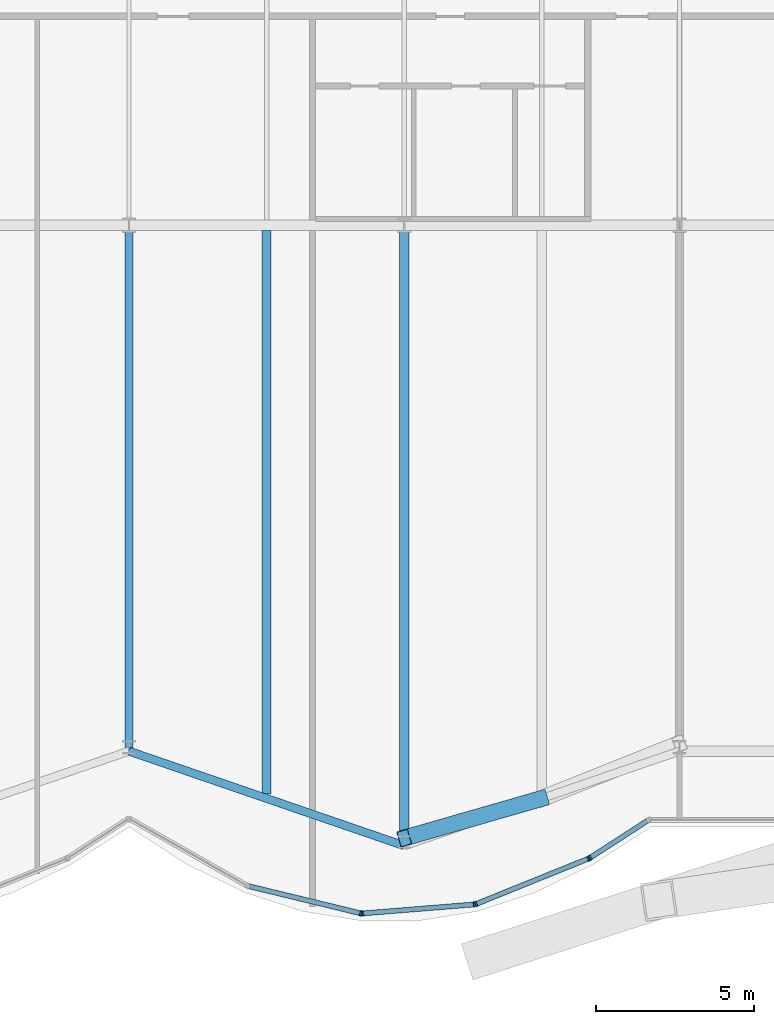
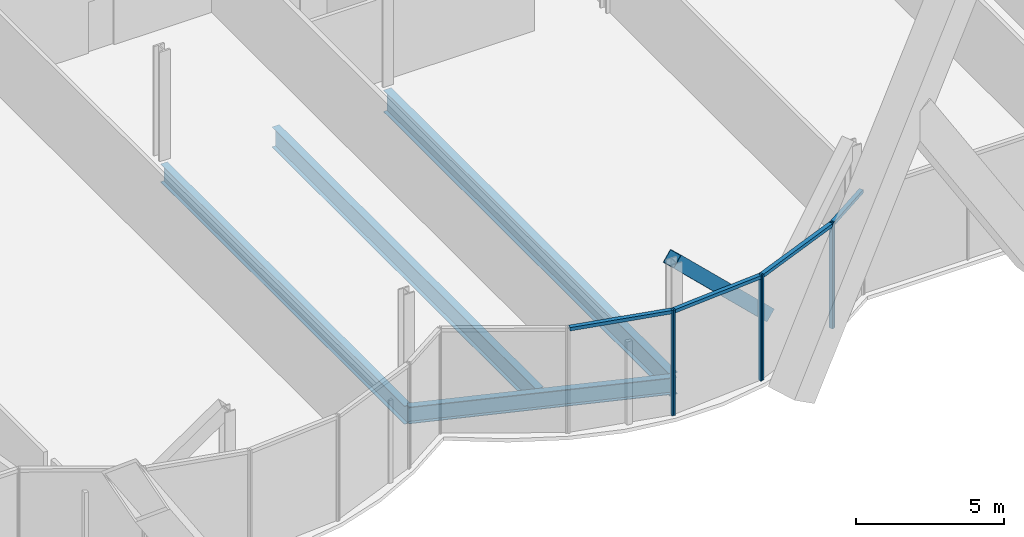
# One storey, part 9 of 23: 11 members, 4 beams, 1 element without a shape of its own.
"""IFC4 building model written with IfcOpenShell, lengths in metres."""

from ifc_helpers import new_model, si_unit, direction, frame, origin, origin_2d, place, context, subcontext, project, spatial, rectangle, hollow_rectangle, i_section, extrude, material, material_profile, profile_set, type_object, element, aggregate, save


model = new_model("IFC4")

# Units and contexts
model_context = context("Model", 3, precision=1e-05, world=origin(), true_north=direction((0.0, 1.0)))
body_context = subcontext(model_context, "Body", "Model", "MODEL_VIEW")
ifc_project = project(units=[si_unit("LENGTHUNIT", "METRE"), si_unit("AREAUNIT", "SQUARE_METRE"), si_unit("VOLUMEUNIT", "CUBIC_METRE"), si_unit("PLANEANGLEUNIT", "RADIAN"), si_unit("MASSUNIT", "GRAM", prefix="KILO")], contexts=[model_context])

# Site, building, storey
site_placement = place(None, origin())
site = spatial("IfcSite", under=ifc_project, at=site_placement, CompositionType="ELEMENT")
building_placement = place(site_placement, origin())
building = spatial("IfcBuilding", under=site, at=building_placement, Name="Bicima Exchange Tower", CompositionType="ELEMENT")
storey_placement = place(building_placement, frame((0.0, 0.0, 53.0)))
storey = spatial("IfcBuildingStorey", under=building, at=storey_placement, Name="L10", CompositionType="ELEMENT", Elevation=53.0)

# Beams
ifc_material_1 = material(Name="Steel ASTM A992 Gr 50", Category="steel")
ifc_material_profile_1 = material_profile(ifc_material_1, i_section(OverallWidth=0.2666015625, OverallDepth=0.75439453125, WebThickness=0.01318359375, FlangeThickness=0.01708984375, at=origin_2d()))
ifc_profile_set_1 = profile_set([ifc_material_profile_1], Name="Steel ASTM A992 Gr 50")
beam_type_1 = type_object("IfcBeamType", Name="Floor beam W30x99", PredefinedType="JOIST", material=ifc_profile_set_1)
beam_1_placement = place(storey_placement, frame((0.0, -22.16259765625, -0.527099609375), z_axis=(0.0, -1.0, 0.0), x_axis=(1.0, 0.0, 0.0)))
element("IfcBeam", 1, at=beam_1_placement, inside=storey, type_object=beam_type_1, Name="Floor beam", PredefinedType="JOIST", context=body_context, shape_type="SweptSolid", body=[
    extrude(i_section(OverallWidth=0.2666015625, OverallDepth=0.75439453125, WebThickness=0.01318359375, FlangeThickness=0.01708984375, at=origin_2d()), origin(), (0.0, 0.0, 1.0), 16.46142578125),
])
ifc_material_profile_2 = material_profile(ifc_material_1, i_section(OverallWidth=0.2919921875, OverallDepth=0.835693359375, WebThickness=0.013916015625, FlangeThickness=0.018798828125, at=origin_2d()))
ifc_profile_set_2 = profile_set([ifc_material_profile_2], Name="Steel ASTM A992 Gr 50")
beam_type_2 = type_object("IfcBeamType", Name="Floor beam W33x118", PredefinedType="JOIST", material=ifc_profile_set_2)
beam_2_placement = place(storey_placement, frame((4.35009765625, -22.16259765625, -0.56787109375), z_axis=(0.0, -1.0, 0.0), x_axis=(1.0, 0.0, 0.0)))
element("IfcBeam", 2, at=beam_2_placement, inside=storey, type_object=beam_type_2, Name="Floor beam", PredefinedType="JOIST", context=body_context, shape_type="SweptSolid", body=[
    extrude(i_section(OverallWidth=0.2919921875, OverallDepth=0.835693359375, WebThickness=0.013916015625, FlangeThickness=0.018798828125, at=origin_2d()), origin(), (0.0, 0.0, 1.0), 17.8212890625),
])
ifc_material_profile_3 = material_profile(ifc_material_1, i_section(OverallWidth=0.3046875, OverallDepth=0.904296875, WebThickness=0.01513671875, FlangeThickness=0.02001953125, at=origin_2d()))
ifc_profile_set_3 = profile_set([ifc_material_profile_3], Name="Steel ASTM A992 Gr 50")
beam_type_3 = type_object("IfcBeamType", Name="Floor beam W36x135", PredefinedType="JOIST", material=ifc_profile_set_3)
beam_3_placement = place(storey_placement, frame((8.699951171875, -22.16259765625, -0.60205078125), z_axis=(0.0, -1.0, 0.0), x_axis=(1.0, 0.0, 0.0)))
element("IfcBeam", 3, at=beam_3_placement, inside=storey, type_object=beam_type_3, Name="Floor beam", PredefinedType="JOIST", context=body_context, shape_type="SweptSolid", body=[
    extrude(i_section(OverallWidth=0.3046875, OverallDepth=0.904296875, WebThickness=0.01513671875, FlangeThickness=0.02001953125, at=origin_2d()), origin(), (0.0, 0.0, 1.0), 19.31689453125),
])
ifc_material_profile_4 = material_profile(ifc_material_1, i_section(OverallWidth=0.256591796875, OverallDepth=0.693359375, WebThickness=0.014404296875, FlangeThickness=0.023681640625, at=origin_2d()))
ifc_profile_set_4 = profile_set([ifc_material_profile_4], Name="Steel ASTM A992 Gr 50")
beam_type_4 = type_object("IfcBeamType", Name="Front girder W27x114", PredefinedType="BEAM", material=ifc_profile_set_4)
beam_4_placement = place(storey_placement, frame((0.0, -38.6240234375, -0.49658203125), z_axis=(0.945674616091, -0.32511462668, 0.0), x_axis=(0.32511462668, 0.945674616091, 0.0)))
element("IfcBeam", 4, at=beam_4_placement, inside=storey, type_object=beam_type_4, Name="Front girder", PredefinedType="BEAM", context=body_context, shape_type="SweptSolid", body=[
    extrude(i_section(OverallWidth=0.256591796875, OverallDepth=0.693359375, WebThickness=0.014404296875, FlangeThickness=0.023681640625, at=origin_2d()), origin(), (0.0, 0.0, 1.0), 9.19970703125),
])

# Curtain wall, members
ifc_material_2 = material(Name="Anodised bronze aluminium", Category="aluminium")
curtain_wall_type = type_object("IfcCurtainWallType", Name="Front glass wall", PredefinedType="NOTDEFINED", material=ifc_material_2)
curtain_wall_placement = place(storey_placement, origin())
curtain_wall = element("IfcCurtainWall", 5, at=curtain_wall_placement, inside=storey, type_object=curtain_wall_type, Name="Front glass wall L10 run 11", PredefinedType="NOTDEFINED")
ifc_material_profile_5 = material_profile(ifc_material_2, rectangle(XDim=0.159912109375, YDim=0.06005859375, at=origin_2d()))
ifc_profile_set_5 = profile_set([ifc_material_profile_5], Name="Anodised bronze aluminium")
member_type_1 = type_object("IfcMemberType", Name="Front glass wall mullion 60 x 160", PredefinedType="MULLION", material=ifc_profile_set_5)
member_1_placement = place(storey_placement, frame((7.322509765625, -43.75, 0.0), z_axis=(0.0, 0.0, 1.0), x_axis=(0.235681529503, 0.971830343553, 0.0)))
member_1 = element("IfcMember", 6, at=member_1_placement, type_object=member_type_1, Name="Front glass wall mullion 2", PredefinedType="MULLION", context=body_context, shape_type="SweptSolid", body=[
    extrude(rectangle(XDim=0.159912109375, YDim=0.06005859375, at=origin_2d()), origin(), (0.0, 0.0, 1.0), 4.35009765625),
])
member_2_placement = place(storey_placement, frame((7.381591796875, -43.754638671875, 0.0), z_axis=(0.0, 0.0, 1.0), x_axis=(-0.080588612633, 0.99674744821, 0.0)))
member_2 = element("IfcMember", 7, at=member_2_placement, type_object=member_type_1, Name="Front glass wall mullion 1", PredefinedType="MULLION", context=body_context, shape_type="SweptSolid", body=[
    extrude(rectangle(XDim=0.159912109375, YDim=0.06005859375, at=origin_2d()), origin(), (0.0, 0.0, 1.0), 4.35009765625),
])
member_3_placement = place(storey_placement, frame((10.916015625, -43.46875, 0.0), z_axis=(0.0, 0.0, 1.0), x_axis=(-0.080588612633, 0.99674744821, 0.0)))
member_3 = element("IfcMember", 8, at=member_3_placement, type_object=member_type_1, Name="Front glass wall mullion 2", PredefinedType="MULLION", context=body_context, shape_type="SweptSolid", body=[
    extrude(rectangle(XDim=0.159912109375, YDim=0.06005859375, at=origin_2d()), origin(), (0.0, 0.0, 1.0), 4.35009765625),
])
member_4_placement = place(storey_placement, frame((10.973876953125, -43.455078125, 0.0), z_axis=(0.0, 0.0, 1.0), x_axis=(-0.374705304, 0.92714396679, 0.0)))
member_4 = element("IfcMember", 9, at=member_4_placement, type_object=member_type_1, Name="Front glass wall mullion 1", PredefinedType="MULLION", context=body_context, shape_type="SweptSolid", body=[
    extrude(rectangle(XDim=0.159912109375, YDim=0.06005859375, at=origin_2d()), origin(), (0.0, 0.0, 1.0), 4.35009765625),
])
member_5_placement = place(storey_placement, frame((14.52587890625, -42.01953125, 0.0), z_axis=(0.0, 0.0, 1.0), x_axis=(-0.374705304, 0.92714396679, 0.0)))
member_5 = element("IfcMember", 10, at=member_5_placement, type_object=member_type_1, Name="Front glass wall mullion 2", PredefinedType="MULLION", context=body_context, shape_type="SweptSolid", body=[
    extrude(rectangle(XDim=0.159912109375, YDim=0.06005859375, at=origin_2d()), origin(), (0.0, 0.0, 1.0), 4.35009765625),
])
member_6_placement = place(storey_placement, frame((14.578857421875, -41.9921875, 0.0), z_axis=(0.0, 0.0, 1.0), x_axis=(-0.542909183079, 0.839791413941, 0.0)))
member_6 = element("IfcMember", 11, at=member_6_placement, type_object=member_type_1, Name="Front glass wall mullion 1", PredefinedType="MULLION", context=body_context, shape_type="SweptSolid", body=[
    extrude(rectangle(XDim=0.159912109375, YDim=0.06005859375, at=origin_2d()), origin(), (0.0, 0.0, 1.0), 4.35009765625),
])
ifc_material_profile_6 = material_profile(ifc_material_2, rectangle(XDim=0.159912109375, YDim=0.139892578125, at=origin_2d()))
ifc_profile_set_6 = profile_set([ifc_material_profile_6], Name="Anodised bronze aluminium")
member_type_2 = type_object("IfcMemberType", Name="Front glass wall transom 140 x 160", PredefinedType="USERDEFINED", material=ifc_profile_set_6)
member_7_placement = place(storey_placement, frame((3.81103515625, -42.898193359375, 4.280029296875), z_axis=(0.971817951661, -0.235732621477, 0.0), x_axis=(0.235732621477, 0.971817951661, 0.0)))
member_7 = element("IfcMember", 12, at=member_7_placement, type_object=member_type_2, Name="Front glass wall transom 1.1", ObjectType="TRANSOM", PredefinedType="USERDEFINED", context=body_context, shape_type="SweptSolid", body=[
    extrude(rectangle(XDim=0.159912109375, YDim=0.139892578125, at=origin_2d()), origin(), (0.0, 0.0, 1.0), 3.58349609375),
])
member_8_placement = place(storey_placement, frame((7.41162109375, -43.752197265625, 4.280029296875), z_axis=(0.9967456465, 0.080610893699, 0.0), x_axis=(-0.080610893699, 0.9967456465, 0.0)))
member_8 = element("IfcMember", 13, at=member_8_placement, type_object=member_type_2, Name="Front glass wall transom 1.1", ObjectType="TRANSOM", PredefinedType="USERDEFINED", context=body_context, shape_type="SweptSolid", body=[
    extrude(rectangle(XDim=0.159912109375, YDim=0.139892578125, at=origin_2d()), origin(), (0.0, 0.0, 1.0), 3.48583984375),
])
member_9_placement = place(storey_placement, frame((11.001708984375, -43.44384765625, 4.280029296875), z_axis=(0.927140215882, 0.374714584842, 0.0), x_axis=(-0.374714584842, 0.927140215882, 0.0)))
member_9 = element("IfcMember", 14, at=member_9_placement, type_object=member_type_2, Name="Front glass wall transom 1.1", ObjectType="TRANSOM", PredefinedType="USERDEFINED", context=body_context, shape_type="SweptSolid", body=[
    extrude(rectangle(XDim=0.159912109375, YDim=0.139892578125, at=origin_2d()), origin(), (0.0, 0.0, 1.0), 3.77099609375),
])
member_10_placement = place(storey_placement, frame((14.60400390625, -41.975830078125, 4.280029296875), z_axis=(0.839792890287, 0.542906899407, 0.0), x_axis=(-0.542906899407, 0.839792890287, 0.0)))
member_10 = element("IfcMember", 15, at=member_10_placement, type_object=member_type_2, Name="Front glass wall transom 1.1", ObjectType="TRANSOM", PredefinedType="USERDEFINED", context=body_context, shape_type="SweptSolid", body=[
    extrude(rectangle(XDim=0.159912109375, YDim=0.139892578125, at=origin_2d()), origin(), (0.0, 0.0, 1.0), 2.11669921875),
])
aggregate(curtain_wall, [member_1, member_7, member_2, member_3, member_8, member_4, member_5, member_9, member_6, member_10])

# Member
ifc_material_3 = material(Name="Steel ASTM A572 Gr 50", Category="steel")
ifc_material_profile_7 = material_profile(ifc_material_3, hollow_rectangle(XDim=0.508056640625, YDim=0.508056640625, WallThickness=0.017822265625, at=origin_2d()))
ifc_profile_set_7 = profile_set([ifc_material_profile_7], Name="Steel ASTM A572 Gr 50")
member_type_3 = type_object("IfcMemberType", Name="Mega brace HSS20x20x3/4", PredefinedType="BRACE", material=ifc_profile_set_7)
member_11_placement = place(storey_placement, frame((13.050048828125, -40.119384765625, 0.0), z_axis=(-0.681534473108, -0.196106591291, 0.705019834343), x_axis=(0.276522876258, -0.961007335511, 0.0)))
element("IfcMember", 16, at=member_11_placement, inside=storey, type_object=member_type_3, Name="Mega brace front", PredefinedType="BRACE", context=body_context, shape_type="SweptSolid", body=[
    extrude(hollow_rectangle(XDim=0.508056640625, YDim=0.508056640625, WallThickness=0.017822265625, at=origin_2d()), origin(), (0.0, 0.0, 1.0), 6.3828125),
])

save(model, "model.ifc")
